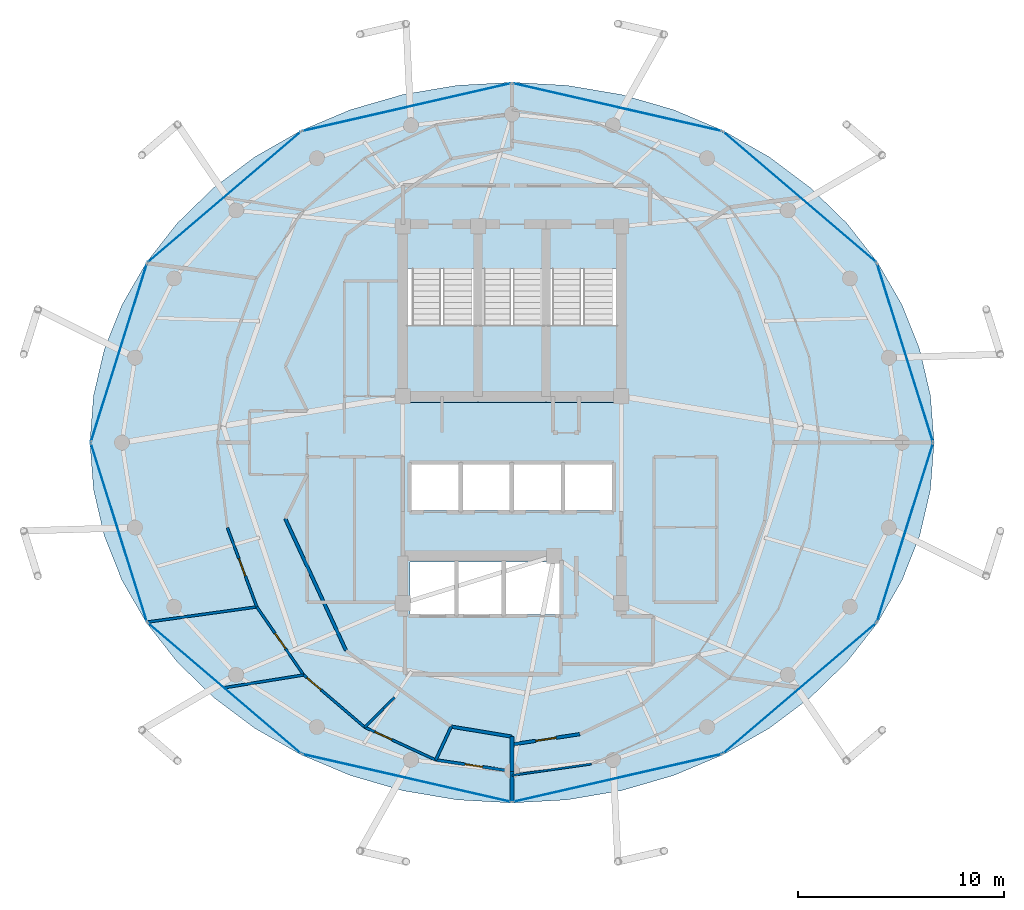
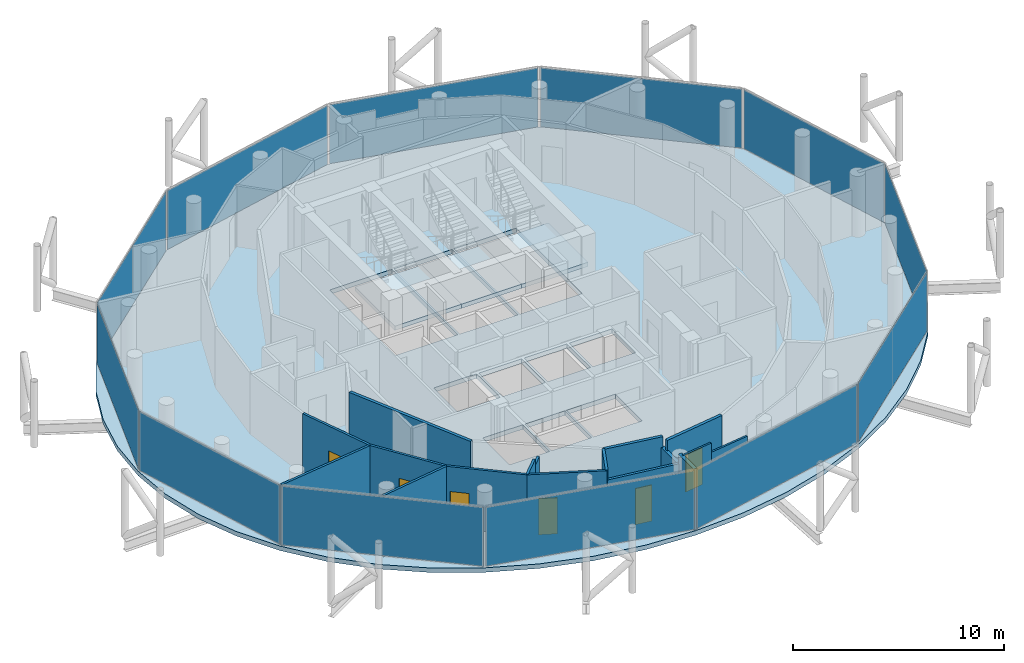
# One storey, part 19 of 24: 17 walls, 12 plates, 6 doors, 4 slabs, 6 openings, 15 elements without a shape of their own.
"""IFC4 building model written with IfcOpenShell, lengths in metres."""

from ifc_helpers import new_model, si_unit, direction, frame, frame_2d, origin, origin_2d, place, context, subcontext, project, spatial, polyline, rectangle, outline, extrude, material, layer, layer_set, type_object, element, fill, aggregate, save


model = new_model("IFC4")

# Units and contexts
model_context = context("Model", 3, precision=1e-05, world=origin(), true_north=direction((0.0, 1.0)))
body_context = subcontext(model_context, "Body", "Model", "MODEL_VIEW")
ifc_project = project(units=[si_unit("LENGTHUNIT", "METRE"), si_unit("AREAUNIT", "SQUARE_METRE"), si_unit("VOLUMEUNIT", "CUBIC_METRE"), si_unit("PLANEANGLEUNIT", "RADIAN"), si_unit("MASSUNIT", "GRAM", prefix="KILO")], contexts=[model_context])

# Site, building, storey
site_placement = place(None, origin())
site = spatial("IfcSite", under=ifc_project, at=site_placement, CompositionType="ELEMENT")
building_placement = place(site_placement, origin())
building = spatial("IfcBuilding", under=site, at=building_placement, Name="Nuhasar Tower", CompositionType="ELEMENT")
storey_placement = place(building_placement, frame((0.0, 0.0, 267.0)))
storey = spatial("IfcBuildingStorey", under=building, at=storey_placement, Name="L66", CompositionType="ELEMENT", Elevation=267.0)

# Curtain wall, plate
ifc_material_1 = material(Name="Aluminium 6063-T6", Category="aluminium")
ifc_layer_1 = layer(ifc_material_1, 0.18994140625)
ifc_layer_set_1 = layer_set([ifc_layer_1], Name="Aluminium 6063-T6")
curtain_wall_type = type_object("IfcCurtainWallType", Name="CW-Z4-PEN", PredefinedType="NOTDEFINED", material=ifc_layer_set_1)
curtain_wall_1_placement = place(storey_placement, origin())
curtain_wall_1 = element("IfcCurtainWall", 1, at=curtain_wall_1_placement, inside=storey, type_object=curtain_wall_type, Name="L66 Unitised Curtain Wall 01", PredefinedType="NOTDEFINED")
ifc_material_2 = material(Name="Glass Double Low-E", Category="glass")
ifc_layer_2 = layer(ifc_material_2, 0.028076171875)
ifc_layer_set_2 = layer_set([ifc_layer_2], Name="Glass Double Low-E")
plate_type = type_object("IfcPlateType", Name="CW-PANEL-GLZ", PredefinedType="CURTAIN_PANEL", material=ifc_layer_set_2)
plate_1_placement = place(storey_placement, frame((58.089599609375, 31.1650390625, 0.06005859375), z_axis=(0.0, 0.0, 1.0), x_axis=(-0.299556614146, 0.954078526601, 0.0)))
plate_1 = element("IfcPlate", 2, at=plate_1_placement, type_object=plate_type, Name="CW-Z4 panel 1.1", PredefinedType="CURTAIN_PANEL", context=body_context, shape_type="SweptSolid", body=[
    extrude(rectangle(XDim=9.0302734375, YDim=0.028076171875, at=origin_2d()), origin(), (0.0, 0.0, 1.0), 3.419921875),
])
aggregate(curtain_wall_1, [plate_1])

curtain_wall_2_placement = place(storey_placement, origin())
curtain_wall_2 = element("IfcCurtainWall", 3, at=curtain_wall_2_placement, inside=storey, type_object=curtain_wall_type, Name="L66 Unitised Curtain Wall 02", PredefinedType="NOTDEFINED")
plate_2_placement = place(storey_placement, frame((52.974609375, 38.7255859375, 0.06005859375), z_axis=(0.0, 0.0, 1.0), x_axis=(-0.760667252327, 0.649141996205, 0.0)))
plate_2 = element("IfcPlate", 4, at=plate_2_placement, type_object=plate_type, Name="CW-Z4 panel 1.1", PredefinedType="CURTAIN_PANEL", context=body_context, shape_type="SweptSolid", body=[
    extrude(rectangle(XDim=9.725341796875, YDim=0.028076171875, at=origin_2d()), origin(), (0.0, 0.0, 1.0), 3.419921875),
])
aggregate(curtain_wall_2, [plate_2])

curtain_wall_3_placement = place(storey_placement, origin())
curtain_wall_3 = element("IfcCurtainWall", 5, at=curtain_wall_3_placement, inside=storey, type_object=curtain_wall_type, Name="L66 Unitised Curtain Wall 03", PredefinedType="NOTDEFINED")
plate_3_placement = place(storey_placement, frame((44.114990234375, 43.090576171875, 0.06005859375), z_axis=(0.0, 0.0, 1.0), x_axis=(-0.97484371891, 0.222889487645, 0.0)))
plate_3 = element("IfcPlate", 6, at=plate_3_placement, type_object=plate_type, Name="CW-Z4 panel 1.1", PredefinedType="CURTAIN_PANEL", context=body_context, shape_type="SweptSolid", body=[
    extrude(rectangle(XDim=10.3740234375, YDim=0.028076171875, at=origin_2d()), origin(), (0.0, 0.0, 1.0), 3.419921875),
])
aggregate(curtain_wall_3, [plate_3])

curtain_wall_4_placement = place(storey_placement, origin())
curtain_wall_4 = element("IfcCurtainWall", 7, at=curtain_wall_4_placement, inside=storey, type_object=curtain_wall_type, Name="L66 Unitised Curtain Wall 04", PredefinedType="NOTDEFINED")
plate_4_placement = place(storey_placement, frame((33.885009765625, 43.090576171875, 0.06005859375), z_axis=(0.0, 0.0, 1.0), x_axis=(-0.97484371891, -0.222889487645, 0.0)))
plate_4 = element("IfcPlate", 8, at=plate_4_placement, type_object=plate_type, Name="CW-Z4 panel 1.1", PredefinedType="CURTAIN_PANEL", context=body_context, shape_type="SweptSolid", body=[
    extrude(rectangle(XDim=10.3740234375, YDim=0.028076171875, at=origin_2d()), origin(), (0.0, 0.0, 1.0), 3.419921875),
])
aggregate(curtain_wall_4, [plate_4])

curtain_wall_5_placement = place(storey_placement, origin())
curtain_wall_5 = element("IfcCurtainWall", 9, at=curtain_wall_5_placement, inside=storey, type_object=curtain_wall_type, Name="L66 Unitised Curtain Wall 05", PredefinedType="NOTDEFINED")
plate_5_placement = place(storey_placement, frame((25.025390625, 38.7255859375, 0.06005859375), z_axis=(0.0, 0.0, 1.0), x_axis=(-0.760667252327, -0.649141996205, 0.0)))
plate_5 = element("IfcPlate", 10, at=plate_5_placement, type_object=plate_type, Name="CW-Z4 panel 1.1", PredefinedType="CURTAIN_PANEL", context=body_context, shape_type="SweptSolid", body=[
    extrude(rectangle(XDim=9.725341796875, YDim=0.028076171875, at=origin_2d()), origin(), (0.0, 0.0, 1.0), 3.419921875),
])
aggregate(curtain_wall_5, [plate_5])

curtain_wall_6_placement = place(storey_placement, origin())
curtain_wall_6 = element("IfcCurtainWall", 11, at=curtain_wall_6_placement, inside=storey, type_object=curtain_wall_type, Name="L66 Unitised Curtain Wall 06", PredefinedType="NOTDEFINED")
plate_6_placement = place(storey_placement, frame((19.910400390625, 31.1650390625, 0.06005859375), z_axis=(0.0, 0.0, 1.0), x_axis=(-0.299556614146, -0.954078526601, 0.0)))
plate_6 = element("IfcPlate", 12, at=plate_6_placement, type_object=plate_type, Name="CW-Z4 panel 1.1", PredefinedType="CURTAIN_PANEL", context=body_context, shape_type="SweptSolid", body=[
    extrude(rectangle(XDim=9.0302734375, YDim=0.028076171875, at=origin_2d()), origin(), (0.0, 0.0, 1.0), 3.419921875),
])
aggregate(curtain_wall_6, [plate_6])

curtain_wall_7_placement = place(storey_placement, origin())
curtain_wall_7 = element("IfcCurtainWall", 13, at=curtain_wall_7_placement, inside=storey, type_object=curtain_wall_type, Name="L66 Unitised Curtain Wall 07", PredefinedType="NOTDEFINED")
plate_7_placement = place(storey_placement, frame((19.910400390625, 22.43505859375, 0.06005859375), z_axis=(0.0, 0.0, 1.0), x_axis=(0.299556614146, -0.954078526601, 0.0)))
plate_7 = element("IfcPlate", 14, at=plate_7_placement, type_object=plate_type, Name="CW-Z4 panel 1.1", PredefinedType="CURTAIN_PANEL", context=body_context, shape_type="SweptSolid", body=[
    extrude(rectangle(XDim=9.0302734375, YDim=0.028076171875, at=origin_2d()), origin(), (0.0, 0.0, 1.0), 3.419921875),
])
aggregate(curtain_wall_7, [plate_7])

curtain_wall_8_placement = place(storey_placement, origin())
curtain_wall_8 = element("IfcCurtainWall", 15, at=curtain_wall_8_placement, inside=storey, type_object=curtain_wall_type, Name="L66 Unitised Curtain Wall 08", PredefinedType="NOTDEFINED")
plate_8_placement = place(storey_placement, frame((25.025390625, 14.87451171875, 0.06005859375), z_axis=(0.0, 0.0, 1.0), x_axis=(0.760667252327, -0.649141996205, 0.0)))
plate_8 = element("IfcPlate", 16, at=plate_8_placement, type_object=plate_type, Name="CW-Z4 panel 1.1", PredefinedType="CURTAIN_PANEL", context=body_context, shape_type="SweptSolid", body=[
    extrude(rectangle(XDim=9.725341796875, YDim=0.028076171875, at=origin_2d()), origin(), (0.0, 0.0, 1.0), 3.419921875),
])
aggregate(curtain_wall_8, [plate_8])

curtain_wall_9_placement = place(storey_placement, origin())
curtain_wall_9 = element("IfcCurtainWall", 17, at=curtain_wall_9_placement, inside=storey, type_object=curtain_wall_type, Name="L66 Unitised Curtain Wall 09", PredefinedType="NOTDEFINED")
plate_9_placement = place(storey_placement, frame((33.885009765625, 10.509521484375, 0.06005859375), z_axis=(0.0, 0.0, 1.0), x_axis=(0.97484371891, -0.222889487645, 0.0)))
plate_9 = element("IfcPlate", 18, at=plate_9_placement, type_object=plate_type, Name="CW-Z4 panel 1.1", PredefinedType="CURTAIN_PANEL", context=body_context, shape_type="SweptSolid", body=[
    extrude(rectangle(XDim=10.3740234375, YDim=0.028076171875, at=origin_2d()), origin(), (0.0, 0.0, 1.0), 3.419921875),
])
aggregate(curtain_wall_9, [plate_9])

curtain_wall_10_placement = place(storey_placement, origin())
curtain_wall_10 = element("IfcCurtainWall", 19, at=curtain_wall_10_placement, inside=storey, type_object=curtain_wall_type, Name="L66 Unitised Curtain Wall 10", PredefinedType="NOTDEFINED")
plate_10_placement = place(storey_placement, frame((44.114990234375, 10.509521484375, 0.06005859375), z_axis=(0.0, 0.0, 1.0), x_axis=(0.97484371891, 0.222889487645, 0.0)))
plate_10 = element("IfcPlate", 20, at=plate_10_placement, type_object=plate_type, Name="CW-Z4 panel 1.1", PredefinedType="CURTAIN_PANEL", context=body_context, shape_type="SweptSolid", body=[
    extrude(rectangle(XDim=10.3740234375, YDim=0.028076171875, at=origin_2d()), origin(), (0.0, 0.0, 1.0), 3.419921875),
])
aggregate(curtain_wall_10, [plate_10])

curtain_wall_11_placement = place(storey_placement, origin())
curtain_wall_11 = element("IfcCurtainWall", 21, at=curtain_wall_11_placement, inside=storey, type_object=curtain_wall_type, Name="L66 Unitised Curtain Wall 11", PredefinedType="NOTDEFINED")
plate_11_placement = place(storey_placement, frame((52.974609375, 14.87451171875, 0.06005859375), z_axis=(0.0, 0.0, 1.0), x_axis=(0.760667252327, 0.649141996205, 0.0)))
plate_11 = element("IfcPlate", 22, at=plate_11_placement, type_object=plate_type, Name="CW-Z4 panel 1.1", PredefinedType="CURTAIN_PANEL", context=body_context, shape_type="SweptSolid", body=[
    extrude(rectangle(XDim=9.725341796875, YDim=0.028076171875, at=origin_2d()), origin(), (0.0, 0.0, 1.0), 3.419921875),
])
aggregate(curtain_wall_11, [plate_11])

curtain_wall_12_placement = place(storey_placement, origin())
curtain_wall_12 = element("IfcCurtainWall", 23, at=curtain_wall_12_placement, inside=storey, type_object=curtain_wall_type, Name="L66 Unitised Curtain Wall 12", PredefinedType="NOTDEFINED")
plate_12_placement = place(storey_placement, frame((58.089599609375, 22.43505859375, 0.06005859375), z_axis=(0.0, 0.0, 1.0), x_axis=(0.299556614146, 0.954078526601, 0.0)))
plate_12 = element("IfcPlate", 24, at=plate_12_placement, type_object=plate_type, Name="CW-Z4 panel 1.1", PredefinedType="CURTAIN_PANEL", context=body_context, shape_type="SweptSolid", body=[
    extrude(rectangle(XDim=9.0302734375, YDim=0.028076171875, at=origin_2d()), origin(), (0.0, 0.0, 1.0), 3.419921875),
])
aggregate(curtain_wall_12, [plate_12])

# Stair, slab
ifc_material_3 = material(Name="Concrete C45/55", Category="concrete")
stair_type_1 = type_object("IfcStairType", Name="STR-ST-01-2F-22R-1727", PredefinedType="HALF_TURN_STAIR", material=ifc_material_3)
stair_1_placement = place(storey_placement, origin())
stair_1 = element("IfcStair", 25, at=stair_1_placement, inside=storey, type_object=stair_type_1, Name="L66 Exit Stair ST-01", PredefinedType="HALF_TURN_STAIR")
ifc_layer_3 = layer(ifc_material_3, 0.239990234375)
ifc_layer_set_3 = layer_set([ifc_layer_3], Name="Concrete C45/55")
slab_type_1 = type_object("IfcSlabType", Name="SLB-STAIR-LND-240", PredefinedType="LANDING", material=ifc_layer_set_3)
slab_1_placement = place(storey_placement, frame((0.0, 0.0, 1.659912109375)))
slab_1 = element("IfcSlab", 26, at=slab_1_placement, type_object=slab_type_1, Name="ST-01 landing 1", PredefinedType="LANDING", context=body_context, shape_type="SweptSolid", body=[
    extrude(outline(polyline([(33.699951171875, 28.75), (37.35009765625, 28.75), (37.35009765625, 32.52001953125), (33.699951171875, 32.52001953125), (33.699951171875, 28.75)])), origin(), (0.0, 0.0, 1.0), 0.239990234375),
])
aggregate(stair_1, [slab_1])

stair_type_2 = type_object("IfcStairType", Name="STR-ST-03-2F-22R-1727", PredefinedType="HALF_TURN_STAIR", material=ifc_material_3)
stair_2_placement = place(storey_placement, origin())
stair_2 = element("IfcStair", 27, at=stair_2_placement, inside=storey, type_object=stair_type_2, Name="L66 Exit Stair ST-03", PredefinedType="HALF_TURN_STAIR")
slab_2_placement = place(storey_placement, frame((0.0, 0.0, 1.659912109375)))
slab_2 = element("IfcSlab", 28, at=slab_2_placement, type_object=slab_type_1, Name="ST-03 landing 1", PredefinedType="LANDING", context=body_context, shape_type="SweptSolid", body=[
    extrude(outline(polyline([(37.35009765625, 28.75), (40.64990234375, 28.75), (40.64990234375, 32.52001953125), (37.35009765625, 32.52001953125), (37.35009765625, 28.75)])), origin(), (0.0, 0.0, 1.0), 0.239990234375),
])
aggregate(stair_2, [slab_2])

stair_type_3 = type_object("IfcStairType", Name="STR-ST-02-2F-22R-1727", PredefinedType="HALF_TURN_STAIR", material=ifc_material_3)
stair_3_placement = place(storey_placement, origin())
stair_3 = element("IfcStair", 29, at=stair_3_placement, inside=storey, type_object=stair_type_3, Name="L66 Exit Stair ST-02", PredefinedType="HALF_TURN_STAIR")
slab_3_placement = place(storey_placement, frame((0.0, 0.0, 1.659912109375)))
slab_3 = element("IfcSlab", 30, at=slab_3_placement, type_object=slab_type_1, Name="ST-02 landing 1", PredefinedType="LANDING", context=body_context, shape_type="SweptSolid", body=[
    extrude(outline(polyline([(40.64990234375, 28.75), (44.300048828125, 28.75), (44.300048828125, 32.52001953125), (40.64990234375, 32.52001953125), (40.64990234375, 28.75)])), origin(), (0.0, 0.0, 1.0), 0.239990234375),
])
aggregate(stair_3, [slab_3])

# Slab
ifc_material_4 = material(Name="Concrete C50/60", Category="concrete")
ifc_layer_4 = layer(ifc_material_4, 0.260009765625)
ifc_layer_set_4 = layer_set([ifc_layer_4], Name="Concrete C50/60")
slab_type_2 = type_object("IfcSlabType", Name="SLB-Z1A-260", PredefinedType="FLOOR", material=ifc_layer_set_4)
slab_4_placement = place(storey_placement, frame((0.0, 0.0, -0.260009765625)))
element("IfcSlab", 31, at=slab_4_placement, inside=storey, type_object=slab_type_2, Name="L66 Structural Slab", PredefinedType="FLOOR", context=body_context, shape_type="SweptSolid", body=[
    extrude(outline(polyline([(59.5, 26.800048828125), (59.324951171875, 29.083984375), (58.801025390625, 31.3291015625), (57.93994140625, 33.4970703125), (56.75390625, 35.550048828125), (55.263916015625, 37.452880859375), (53.49609375, 39.174072265625), (51.47998046875, 40.68408203125), (49.25, 41.955078125), (46.844970703125, 42.968017578125), (44.305908203125, 43.7041015625), (41.676025390625, 44.14990234375), (39.0, 44.300048828125), (36.323974609375, 44.14990234375), (33.694091796875, 43.7041015625), (31.155029296875, 42.968017578125), (28.75, 41.955078125), (26.52001953125, 40.68408203125), (24.50390625, 39.174072265625), (22.736083984375, 37.452880859375), (21.24609375, 35.550048828125), (20.06005859375, 33.4970703125), (19.198974609375, 31.3291015625), (18.675048828125, 29.083984375), (18.5, 26.800048828125), (18.675048828125, 24.51611328125), (19.198974609375, 22.27099609375), (20.06005859375, 20.10302734375), (21.24609375, 18.050048828125), (22.736083984375, 16.14697265625), (24.50390625, 14.426025390625), (26.52001953125, 12.916015625), (28.75, 11.64501953125), (31.155029296875, 10.632080078125), (33.694091796875, 9.89599609375), (36.323974609375, 9.449951171875), (39.0, 9.300048828125), (41.676025390625, 9.449951171875), (44.305908203125, 9.89599609375), (46.844970703125, 10.632080078125), (49.25, 11.64501953125), (51.47998046875, 12.916015625), (53.49609375, 14.426025390625), (55.263916015625, 16.14697265625), (56.75390625, 18.050048828125), (57.93994140625, 20.10302734375), (58.801025390625, 22.27099609375), (59.324951171875, 24.51611328125), (59.5, 26.800048828125)]), holes=[polyline([(33.8798828125, 35.25), (37.300048828125, 35.25), (37.300048828125, 29.0), (33.8798828125, 29.0), (33.8798828125, 35.25)]), polyline([(37.39990234375, 35.25), (40.60009765625, 35.25), (40.60009765625, 29.0), (37.39990234375, 29.0), (37.39990234375, 35.25)]), polyline([(40.699951171875, 35.25), (44.1201171875, 35.25), (44.1201171875, 29.0), (40.699951171875, 29.0), (40.699951171875, 35.25)]), polyline([(34.10009765625, 25.75), (36.43994140625, 25.75), (36.43994140625, 23.5), (34.10009765625, 23.5), (34.10009765625, 25.75)]), polyline([(36.580078125, 25.75), (38.919921875, 25.75), (38.919921875, 23.5), (36.580078125, 23.5), (36.580078125, 25.75)]), polyline([(39.06005859375, 25.75), (41.39990234375, 25.75), (41.39990234375, 23.5), (39.06005859375, 23.5), (39.06005859375, 25.75)]), polyline([(41.5400390625, 25.75), (43.8798828125, 25.75), (43.8798828125, 23.5), (41.5400390625, 23.5), (41.5400390625, 25.75)]), polyline([(34.050048828125, 21.0), (36.25, 21.0), (36.25, 18.449951171875), (34.050048828125, 18.449951171875), (34.050048828125, 21.0)]), polyline([(36.35009765625, 21.0), (38.550048828125, 21.0), (38.550048828125, 18.449951171875), (36.35009765625, 18.449951171875), (36.35009765625, 21.0)]), polyline([(38.64990234375, 21.0), (41.320068359375, 21.0), (41.320068359375, 18.449951171875), (38.64990234375, 18.449951171875), (38.64990234375, 21.0)])]), origin(), (0.0, 0.0, 1.0), 0.260009765625),
])

# Wall, opening, door
ifc_material_5 = material(Name="Gypsum Board", Category="gypsum")
ifc_layer_5 = layer(ifc_material_5, 0.159912109375)
ifc_layer_set_5 = layer_set([ifc_layer_5], Name="Gypsum Board")
wall_type_1 = type_object("IfcWallType", Name="WL-CORR-160", PredefinedType="PARTITIONING", material=ifc_layer_set_5)
wall_1_placement = place(storey_placement, frame((42.2900390625, 12.639892578125, 0.0), z_axis=(0.0, 0.0, 1.0), x_axis=(-0.988648231668, -0.150248707217, 0.0)))
wall_1 = element("IfcWall", 32, at=wall_1_placement, inside=storey, type_object=wall_type_1, Name="L66 Interior Partition CORR-36", PredefinedType="PARTITIONING", context=body_context, shape_type="SweptSolid", body=[
    extrude(rectangle(XDim=3.327880859375, YDim=0.159912109375, at=frame_2d((1.6640625, 0.0))), origin(), (0.0, 0.0, 1.0), 3.5400390625),
])
opening_1_placement = place(wall_1_placement, frame((1.1640625, 0.0, 0.0)))
opening_1 = element("IfcOpeningElement", 33, at=opening_1_placement, cuts=wall_1, Name="Opening DU-02", PredefinedType="OPENING", context=body_context, shape_type="SweptSolid", body=[
    extrude(rectangle(XDim=1.0, YDim=2.14990234375, at=frame_2d((0.5, 1.074951171875))), frame((0.0, 0.08984375, 0.0), z_axis=(0.0, -1.0, 0.0), x_axis=(1.0, 0.0, 0.0)), (0.0, 0.0, 1.0), 0.179931640625),
])
ifc_material_6 = material(Name="Timber Oak", Category="wood")
door_type_1 = type_object("IfcDoorType", Name="DR-FLAT-FD60-1000", OperationType="NOTDEFINED", PredefinedType="DOOR", material=ifc_material_6)
door_1_placement = place(opening_1_placement, origin())
door_1 = element("IfcDoor", 34, at=door_1_placement, inside=storey, type_object=door_type_1, Name="L66 Private Chancellery Office 1 Entrance Door", OperationType="SINGLE_SWING_RIGHT", OverallHeight=2.14990234375, OverallWidth=1.0, PredefinedType="DOOR", context=body_context, shape_type="SweptSolid", body=[
    extrude(rectangle(XDim=1.0, YDim=2.14990234375, at=frame_2d((0.5, 1.074951171875))), frame((0.0, 0.02490234375, 0.0), z_axis=(0.0, -1.0, 0.0), x_axis=(1.0, 0.0, 0.0)), (0.0, 0.0, 1.0), 0.050048828125),
])
fill(opening_1, door_1)

# Walls
wall_2_placement = place(storey_placement, frame((27.988037109375, 23.10400390625, 0.0), z_axis=(0.0, 0.0, 1.0), x_axis=(0.418656179426, -0.908144814128, 0.0)))
element("IfcWall", 35, at=wall_2_placement, inside=storey, type_object=wall_type_1, Name="L66 Interior Partition UWEST-CORE-S1-26", PredefinedType="PARTITIONING", context=body_context, shape_type="SweptSolid", body=[
    extrude(rectangle(XDim=7.048583984375, YDim=0.159912109375, at=frame_2d((3.5244140625, 0.0))), origin(), (0.0, 0.0, 1.0), 3.5400390625),
])
wall_3_placement = place(storey_placement, frame((36.049072265625, 13.007080078125, 0.0), z_axis=(0.0, 0.0, 1.0), x_axis=(0.986650832406, -0.162850038111, 0.0)))
element("IfcWall", 36, at=wall_3_placement, inside=storey, type_object=wall_type_1, Name="L66 Interior Partition UWEST-CORE-S2-34", PredefinedType="PARTITIONING", context=body_context, shape_type="SweptSolid", body=[
    extrude(rectangle(XDim=2.990966796875, YDim=0.159912109375, at=frame_2d((1.49560546875, 0.0))), origin(), (0.0, 0.0, 1.0), 3.5400390625),
])
ifc_layer_6 = layer(ifc_material_1, 0.10009765625)
ifc_layer_set_6 = layer_set([ifc_layer_6], Name="Aluminium 6063-T6")
wall_type_2 = type_object("IfcWallType", Name="WL-MOVABLE-100", PredefinedType="MOVABLE", material=ifc_layer_set_6)
wall_4_placement = place(storey_placement, frame((39.0, 10.639892578125, 0.0), z_axis=(0.0, 0.0, 1.0), x_axis=(0.990014754184, 0.140963777257, 0.0)))
element("IfcWall", 37, at=wall_4_placement, inside=storey, type_object=wall_type_2, Name="L66 Interior Partition UMID5-01-36", PredefinedType="MOVABLE", context=body_context, shape_type="SweptSolid", body=[
    extrude(rectangle(XDim=1.718017578125, YDim=0.10009765625, at=frame_2d((0.85888671875, 0.0))), origin(), (0.0, 0.0, 1.0), 3.5400390625),
])
wall_5_placement = place(storey_placement, frame((40.700927734375, 10.882080078125, 0.0), z_axis=(0.0, 0.0, 1.0), x_axis=(0.989987397141, 0.141155777433, 0.0)))
element("IfcWall", 38, at=wall_5_placement, inside=storey, type_object=wall_type_2, Name="L66 Interior Partition UMID5-01-36", PredefinedType="MOVABLE", context=body_context, shape_type="SweptSolid", body=[
    extrude(rectangle(XDim=2.18798828125, YDim=0.10009765625, at=frame_2d((1.093994140625, 0.0))), origin(), (0.0, 0.0, 1.0), 3.0),
])

# Wall, opening, door
ifc_layer_7 = layer(ifc_material_5, 0.125)
ifc_layer_set_7 = layer_set([ifc_layer_7], Name="Gypsum Board")
wall_type_3 = type_object("IfcWallType", Name="WL-PART-125", PredefinedType="PARTITIONING", material=ifc_layer_set_7)
wall_6_placement = place(storey_placement, frame((35.2958984375, 11.384033203125, 0.0), z_axis=(0.0, 0.0, 1.0), x_axis=(-0.907833398029, 0.419331040377, 0.0)))
wall_6 = element("IfcWall", 39, at=wall_6_placement, inside=storey, type_object=wall_type_3, Name="L66 Interior Partition USM-2-K-32", PredefinedType="PARTITIONING", context=body_context, shape_type="SweptSolid", body=[
    extrude(rectangle(XDim=3.80126953125, YDim=0.125, at=frame_2d((1.900634765625, 0.0))), origin(), (0.0, 0.0, 1.0), 3.5400390625),
])
opening_2_placement = place(wall_6_placement, frame((2.35107421875, 0.0, 0.0)))
opening_2 = element("IfcOpeningElement", 40, at=opening_2_placement, cuts=wall_6, Name="Opening DR-01", PredefinedType="OPENING", context=body_context, shape_type="SweptSolid", body=[
    extrude(rectangle(XDim=0.89990234375, YDim=2.10009765625, at=frame_2d((0.449951171875, 1.050048828125))), frame((0.0, 0.072509765625, 0.0), z_axis=(0.0, -1.0, 0.0), x_axis=(1.0, 0.0, 0.0)), (0.0, 0.0, 1.0), 0.14501953125),
])
door_type_2 = type_object("IfcDoorType", Name="DR-ROOM-900", OperationType="NOTDEFINED", PredefinedType="DOOR", material=ifc_material_6)
door_2_placement = place(opening_2_placement, origin())
door_2 = element("IfcDoor", 41, at=door_2_placement, inside=storey, type_object=door_type_2, Name="L66 South-West Sky Home Kitchen Door", OperationType="SINGLE_SWING_RIGHT", OverallHeight=2.10009765625, OverallWidth=0.89990234375, PredefinedType="DOOR", context=body_context, shape_type="SweptSolid", body=[
    extrude(rectangle(XDim=0.89990234375, YDim=2.10009765625, at=frame_2d((0.449951171875, 1.050048828125))), frame((0.0, 0.02490234375, 0.0), z_axis=(0.0, -1.0, 0.0), x_axis=(1.0, 0.0, 0.0)), (0.0, 0.0, 1.0), 0.050048828125),
])
fill(opening_2, door_2)

# Walls
wall_7_placement = place(storey_placement, frame((33.300048828125, 14.43310546875, 0.0), z_axis=(0.0, 0.0, 1.0), x_axis=(-0.707106781187, -0.707106781187, 0.0)))
element("IfcWall", 42, at=wall_7_placement, inside=storey, type_object=wall_type_3, Name="L66 Interior Partition USI-2-DK", PredefinedType="PARTITIONING", context=body_context, shape_type="SweptSolid", body=[
    extrude(rectangle(XDim=0.762451171875, YDim=0.125, at=frame_2d((0.38134765625, 0.0))), origin(), (0.0, 0.0, 1.0), 3.18505859375),
])
wall_8_placement = place(storey_placement, frame((32.760986328125, 13.89404296875, 0.0), z_axis=(0.0, 0.0, 1.0), x_axis=(-0.707106781187, -0.707106781187, 0.0)))
element("IfcWall", 43, at=wall_8_placement, inside=storey, type_object=wall_type_3, Name="L66 Interior Partition USI-2-DK", PredefinedType="PARTITIONING", context=body_context, shape_type="SweptSolid", body=[
    extrude(rectangle(XDim=1.29541015625, YDim=0.125, at=frame_2d((0.647705078125, 0.0))), origin(), (0.0, 0.0, 1.0), 3.5400390625),
])

# Wall, opening, door
wall_9_placement = place(storey_placement, frame((26.60693359375, 18.820068359375, 0.0), z_axis=(0.0, 0.0, 1.0), x_axis=(-0.348052152542, 0.93747517253, 0.0)))
wall_9 = element("IfcWall", 44, at=wall_9_placement, inside=storey, type_object=wall_type_3, Name="L66 Interior Partition USM-2-D-26", PredefinedType="PARTITIONING", context=body_context, shape_type="SweptSolid", body=[
    extrude(rectangle(XDim=4.10546875, YDim=0.125, at=frame_2d((2.052734375, 0.0))), origin(), (0.0, 0.0, 1.0), 3.5400390625),
])
opening_3_placement = place(wall_9_placement, frame((1.60302734375, 0.0, 0.0)))
opening_3 = element("IfcOpeningElement", 45, at=opening_3_placement, cuts=wall_9, Name="Opening DR-01", PredefinedType="OPENING", context=body_context, shape_type="SweptSolid", body=[
    extrude(rectangle(XDim=0.89990234375, YDim=2.10009765625, at=frame_2d((0.449951171875, 1.050048828125))), frame((0.0, 0.072509765625, 0.0), z_axis=(0.0, -1.0, 0.0), x_axis=(1.0, 0.0, 0.0)), (0.0, 0.0, 1.0), 0.14501953125),
])
door_3_placement = place(opening_3_placement, origin())
door_3 = element("IfcDoor", 46, at=door_3_placement, inside=storey, type_object=door_type_2, Name="L66 South-West Sky Home Living Door", OperationType="SINGLE_SWING_LEFT", OverallHeight=2.10009765625, OverallWidth=0.89990234375, PredefinedType="DOOR", context=body_context, shape_type="SweptSolid", body=[
    extrude(rectangle(XDim=0.89990234375, YDim=2.10009765625, at=frame_2d((0.449951171875, 1.050048828125))), frame((0.0, 0.02490234375, 0.0), z_axis=(0.0, -1.0, 0.0), x_axis=(1.0, 0.0, 0.0)), (0.0, 0.0, 1.0), 0.050048828125),
])
fill(opening_3, door_3)

wall_10_placement = place(storey_placement, frame((28.881103515625, 15.514892578125, 0.0), z_axis=(0.0, 0.0, 1.0), x_axis=(-0.566843860179, 0.823825247354, 0.0)))
wall_10 = element("IfcWall", 47, at=wall_10_placement, inside=storey, type_object=wall_type_3, Name="L66 Interior Partition USM-2-D-28", PredefinedType="PARTITIONING", context=body_context, shape_type="SweptSolid", body=[
    extrude(rectangle(XDim=4.011962890625, YDim=0.125, at=frame_2d((2.005859375, 0.0))), origin(), (0.0, 0.0, 1.0), 3.5400390625),
])
opening_4_placement = place(wall_10_placement, frame((1.555908203125, 0.0, 0.0)))
opening_4 = element("IfcOpeningElement", 48, at=opening_4_placement, cuts=wall_10, Name="Opening DR-01", PredefinedType="OPENING", context=body_context, shape_type="SweptSolid", body=[
    extrude(rectangle(XDim=0.89990234375, YDim=2.10009765625, at=frame_2d((0.449951171875, 1.050048828125))), frame((0.0, 0.072509765625, 0.0), z_axis=(0.0, -1.0, 0.0), x_axis=(1.0, 0.0, 0.0)), (0.0, 0.0, 1.0), 0.14501953125),
])
door_4_placement = place(opening_4_placement, origin())
door_4 = element("IfcDoor", 49, at=door_4_placement, inside=storey, type_object=door_type_2, Name="L66 South-West Sky Home Study Door", OperationType="SINGLE_SWING_RIGHT", OverallHeight=2.10009765625, OverallWidth=0.89990234375, PredefinedType="DOOR", context=body_context, shape_type="SweptSolid", body=[
    extrude(rectangle(XDim=0.89990234375, YDim=2.10009765625, at=frame_2d((0.449951171875, 1.050048828125))), frame((0.0, 0.02490234375, 0.0), z_axis=(0.0, -1.0, 0.0), x_axis=(1.0, 0.0, 0.0)), (0.0, 0.0, 1.0), 0.050048828125),
])
fill(opening_4, door_4)

wall_11_placement = place(storey_placement, frame((31.844970703125, 12.97802734375, 0.0), z_axis=(0.0, 0.0, 1.0), x_axis=(-0.759711404355, 0.650260395606, 0.0)))
wall_11 = element("IfcWall", 50, at=wall_11_placement, inside=storey, type_object=wall_type_3, Name="L66 Interior Partition USM-2-D-30", PredefinedType="PARTITIONING", context=body_context, shape_type="SweptSolid", body=[
    extrude(rectangle(XDim=3.9013671875, YDim=0.125, at=frame_2d((1.95068359375, 0.0))), origin(), (0.0, 0.0, 1.0), 3.5400390625),
])
opening_5_placement = place(wall_11_placement, frame((2.801025390625, 0.0, 0.0)))
opening_5 = element("IfcOpeningElement", 51, at=opening_5_placement, cuts=wall_11, Name="Opening DR-01", PredefinedType="OPENING", context=body_context, shape_type="SweptSolid", body=[
    extrude(rectangle(XDim=0.89990234375, YDim=2.10009765625, at=frame_2d((0.449951171875, 1.050048828125))), frame((0.0, 0.072509765625, 0.0), z_axis=(0.0, -1.0, 0.0), x_axis=(1.0, 0.0, 0.0)), (0.0, 0.0, 1.0), 0.14501953125),
])
door_5_placement = place(opening_5_placement, origin())
door_5 = element("IfcDoor", 52, at=door_5_placement, inside=storey, type_object=door_type_2, Name="L66 South-West Sky Home Master Bedroom Door", OperationType="SINGLE_SWING_RIGHT", OverallHeight=2.10009765625, OverallWidth=0.89990234375, PredefinedType="DOOR", context=body_context, shape_type="SweptSolid", body=[
    extrude(rectangle(XDim=0.89990234375, YDim=2.10009765625, at=frame_2d((0.449951171875, 1.050048828125))), frame((0.0, 0.02490234375, 0.0), z_axis=(0.0, -1.0, 0.0), x_axis=(1.0, 0.0, 0.0)), (0.0, 0.0, 1.0), 0.050048828125),
])
fill(opening_5, door_5)

# Walls
wall_12_placement = place(storey_placement, frame((26.60693359375, 18.820068359375, 0.0), z_axis=(0.0, 0.0, 1.0), x_axis=(-0.990577811837, -0.136951081399, 0.0)))
element("IfcWall", 53, at=wall_12_placement, inside=storey, type_object=wall_type_3, Name="L66 Interior Partition USO-2-B1", PredefinedType="PARTITIONING", context=body_context, shape_type="SweptSolid", body=[
    extrude(rectangle(XDim=5.34619140625, YDim=0.125, at=frame_2d((2.673095703125, 0.0))), origin(), (0.0, 0.0, 1.0), 3.5400390625),
])
wall_13_placement = place(storey_placement, frame((28.881103515625, 15.514892578125, 0.0), z_axis=(0.0, 0.0, 1.0), x_axis=(-0.987326147409, -0.158704374994, 0.0)))
element("IfcWall", 54, at=wall_13_placement, inside=storey, type_object=wall_type_3, Name="L66 Interior Partition USO-2-B2", PredefinedType="PARTITIONING", context=body_context, shape_type="SweptSolid", body=[
    extrude(rectangle(XDim=3.881103515625, YDim=0.125, at=frame_2d((1.9404296875, 0.0))), origin(), (0.0, 0.0, 1.0), 3.5400390625),
])
ifc_material_7 = material(Name="Concrete C40/50 precast", Category="concrete")
ifc_layer_8 = layer(ifc_material_7, 0.199951171875)
ifc_layer_set_8 = layer_set([ifc_layer_8], Name="Concrete C40/50 precast")
wall_type_4 = type_object("IfcWallType", Name="WL-UNIT-200", PredefinedType="PARTITIONING", material=ifc_layer_set_8)
wall_14_placement = place(storey_placement, frame((39.0, 12.52001953125, 0.0), z_axis=(0.0, 0.0, 1.0), x_axis=(0.0, -1.0, 0.0)))
element("IfcWall", 55, at=wall_14_placement, inside=storey, type_object=wall_type_4, Name="L66 Interior Partition URAD-36-SW", PredefinedType="PARTITIONING", context=body_context, shape_type="SweptSolid", body=[
    extrude(rectangle(XDim=1.68994140625, YDim=0.199951171875, at=frame_2d((0.844970703125, 0.0))), origin(), (0.0, 0.0, 1.0), 2.925048828125),
])
wall_15_placement = place(storey_placement, frame((39.0, 10.830078125, 0.0), z_axis=(0.0, 0.0, 1.0), x_axis=(0.0, -1.0, 0.0)))
element("IfcWall", 56, at=wall_15_placement, inside=storey, type_object=wall_type_4, Name="L66 Interior Partition URAD-36-SW", PredefinedType="PARTITIONING", context=body_context, shape_type="SweptSolid", body=[
    extrude(rectangle(XDim=1.455078125, YDim=0.199951171875, at=frame_2d((0.7275390625, 0.0))), origin(), (0.0, 0.0, 1.0), 3.5400390625),
])

# Wall, opening, door
ifc_layer_9 = layer(ifc_material_7, 0.139892578125)
ifc_layer_set_9 = layer_set([ifc_layer_9], Name="Concrete C40/50 precast")
wall_type_5 = type_object("IfcWallType", Name="WL-WET-140", PredefinedType="PARTITIONING", material=ifc_layer_set_9)
wall_16_placement = place(storey_placement, frame((39.0, 10.840087890625, 0.0), z_axis=(0.0, 0.0, 1.0), x_axis=(-0.989388931872, 0.145291229911, 0.0)))
wall_16 = element("IfcWall", 57, at=wall_16_placement, inside=storey, type_object=wall_type_5, Name="L66 Interior Partition USM-2-B-34", PredefinedType="PARTITIONING", context=body_context, shape_type="SweptSolid", body=[
    extrude(rectangle(XDim=3.743896484375, YDim=0.139892578125, at=frame_2d((1.8720703125, 0.0))), origin(), (0.0, 0.0, 1.0), 3.0),
])
opening_6_placement = place(wall_16_placement, frame((1.447021484375, 0.0, 0.0)))
opening_6 = element("IfcOpeningElement", 58, at=opening_6_placement, cuts=wall_16, Name="Opening DB-01", PredefinedType="OPENING", context=body_context, shape_type="SweptSolid", body=[
    extrude(rectangle(XDim=0.85009765625, YDim=2.10009765625, at=frame_2d((0.425048828125, 1.050048828125))), frame((0.0, 0.080078125, 0.0), z_axis=(0.0, -1.0, 0.0), x_axis=(1.0, 0.0, 0.0)), (0.0, 0.0, 1.0), 0.159912109375),
])
door_type_3 = type_object("IfcDoorType", Name="DR-BATH-850", OperationType="NOTDEFINED", PredefinedType="DOOR", material=ifc_material_6)
door_6_placement = place(opening_6_placement, origin())
door_6 = element("IfcDoor", 59, at=door_6_placement, inside=storey, type_object=door_type_3, Name="L66 South-West Sky Home En-Suite Door", OperationType="SINGLE_SWING_LEFT", OverallHeight=2.10009765625, OverallWidth=0.85009765625, PredefinedType="DOOR", context=body_context, shape_type="SweptSolid", body=[
    extrude(rectangle(XDim=0.85009765625, YDim=2.10009765625, at=frame_2d((0.425048828125, 1.050048828125))), frame((0.0, 0.02490234375, 0.0), z_axis=(0.0, -1.0, 0.0), x_axis=(1.0, 0.0, 0.0)), (0.0, 0.0, 1.0), 0.050048828125),
])
fill(opening_6, door_6)

# Wall
wall_17_placement = place(storey_placement, frame((36.049072265625, 13.007080078125, 0.0), z_axis=(0.0, 0.0, 1.0), x_axis=(-0.420934907021, -0.907090846636, 0.0)))
element("IfcWall", 60, at=wall_17_placement, inside=storey, type_object=wall_type_5, Name="L66 Interior Partition USI-2-KB", PredefinedType="PARTITIONING", context=body_context, shape_type="SweptSolid", body=[
    extrude(rectangle(XDim=1.789306640625, YDim=0.139892578125, at=frame_2d((0.89453125, 0.0))), origin(), (0.0, 0.0, 1.0), 3.5400390625),
])

save(model, "model.ifc")
